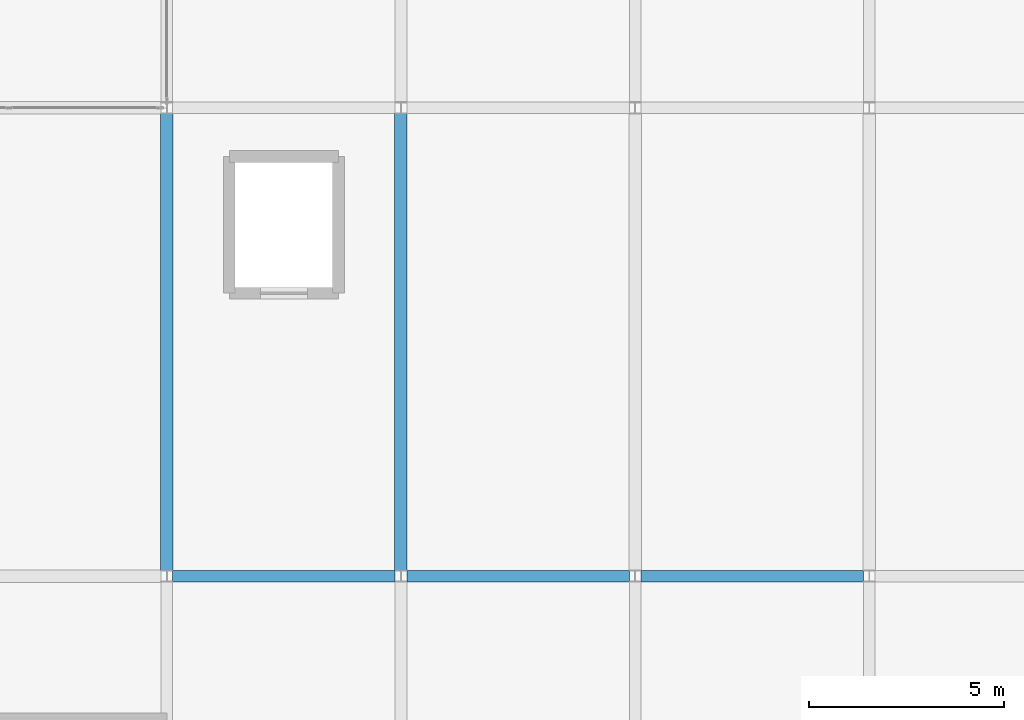
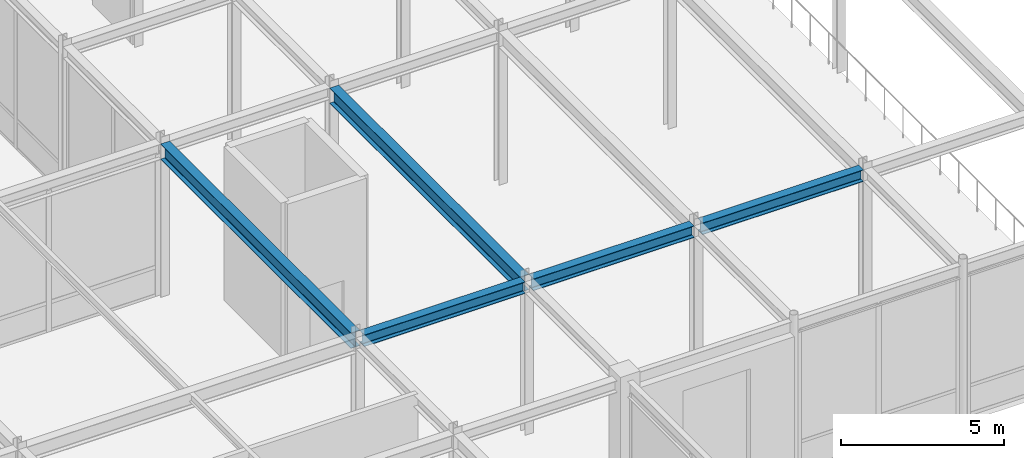
# One storey, part 39 of 108: 5 beams.
"""IFC4 building model written with IfcOpenShell, lengths in metres."""

from ifc_helpers import new_model, si_unit, direction, frame, origin, origin_2d, place, context, subcontext, project, spatial, i_section, extrude, material, material_profile, profile_set, type_object, element, save


model = new_model("IFC4")

# Units and contexts
model_context = context("Model", 3, precision=1e-05, world=origin(), true_north=direction((0.0, 1.0)))
body_context = subcontext(model_context, "Body", "Model", "MODEL_VIEW")
ifc_project = project(units=[si_unit("LENGTHUNIT", "METRE"), si_unit("AREAUNIT", "SQUARE_METRE"), si_unit("VOLUMEUNIT", "CUBIC_METRE"), si_unit("PLANEANGLEUNIT", "RADIAN"), si_unit("MASSUNIT", "GRAM", prefix="KILO")], contexts=[model_context])

# Site, building, storey
site_placement = place(None, origin())
site = spatial("IfcSite", under=ifc_project, at=site_placement, CompositionType="ELEMENT")
building_placement = place(site_placement, origin())
building = spatial("IfcBuilding", under=site, at=building_placement, Name="Zlatovratsky Civic Hall", CompositionType="ELEMENT")
storey_placement = place(building_placement, frame((0.0, 0.0, 6.0)))
storey = spatial("IfcBuildingStorey", under=building, at=storey_placement, Name="L02", CompositionType="ELEMENT", Elevation=6.0)

# Beams
ifc_material = material(Name="Steel S355", Category="steel")
ifc_material_profile_1 = material_profile(ifc_material, i_section(OverallWidth=0.320068359375, OverallDepth=0.58203125, WebThickness=0.011962890625, FlangeThickness=0.01708984375, FilletRadius=0.02392578125, at=origin_2d()), Name="60Sh1")
ifc_profile_set_1 = profile_set([ifc_material_profile_1], Name="Steel S355")
beam_type_1 = type_object("IfcBeamType", Name="Beam_PodiumGirder_60Sh1", PredefinedType="BEAM", material=ifc_profile_set_1)
for number, where, z_axis, x_axis, name in (
    (1, (48.0, 18.14990234375, 5.468994140625), (0.0, 1.0, 0.0), (-1.0, 0.0, 0.0), "BM-2132"),
    (2, (54.0, 18.14990234375, 5.468994140625), (0.0, 1.0, 0.0), (-1.0, 0.0, 0.0), "BM-2149"),
):
    element("IfcBeam", number, at=place(storey_placement, frame(where, z_axis=z_axis, x_axis=x_axis)), inside=storey, type_object=beam_type_1, Name=name, PredefinedType="BEAM", context=body_context, shape_type="SweptSolid", body=[
        extrude(i_section(OverallWidth=0.320068359375, OverallDepth=0.58203125, WebThickness=0.011962890625, FlangeThickness=0.01708984375, FilletRadius=0.02392578125, at=origin_2d()), origin(), (0.0, 0.0, 1.0), 11.7001953125),
    ])
ifc_material_profile_2 = material_profile(ifc_material, i_section(OverallWidth=0.300048828125, OverallDepth=0.43994140625, WebThickness=0.010986328125, FlangeThickness=0.01806640625, FilletRadius=0.02197265625, at=origin_2d()), Name="45Sh1")
ifc_profile_set_2 = profile_set([ifc_material_profile_2], Name="Steel S355")
beam_type_2 = type_object("IfcBeamType", Name="Beam_TowerLow_45Sh1", PredefinedType="BEAM", material=ifc_profile_set_2)
for number, where, z_axis, x_axis, name in (
    (3, (48.14990234375, 18.0, 5.5400390625), (1.0, 0.0, 0.0), (0.0, 1.0, 0.0), "BM-1766"),
    (4, (54.14990234375, 18.0, 5.5400390625), (1.0, 0.0, 0.0), (0.0, 1.0, 0.0), "BM-1767"),
    (5, (60.14990234375, 18.0, 5.5400390625), (1.0, 0.0, 0.0), (0.0, 1.0, 0.0), "BM-1768"),
):
    element("IfcBeam", number, at=place(storey_placement, frame(where, z_axis=z_axis, x_axis=x_axis)), inside=storey, type_object=beam_type_2, Name=name, PredefinedType="BEAM", context=body_context, shape_type="SweptSolid", body=[
        extrude(i_section(OverallWidth=0.300048828125, OverallDepth=0.43994140625, WebThickness=0.010986328125, FlangeThickness=0.01806640625, FilletRadius=0.02197265625, at=origin_2d()), origin(), (0.0, 0.0, 1.0), 5.7001953125),
    ])

save(model, "model.ifc")
